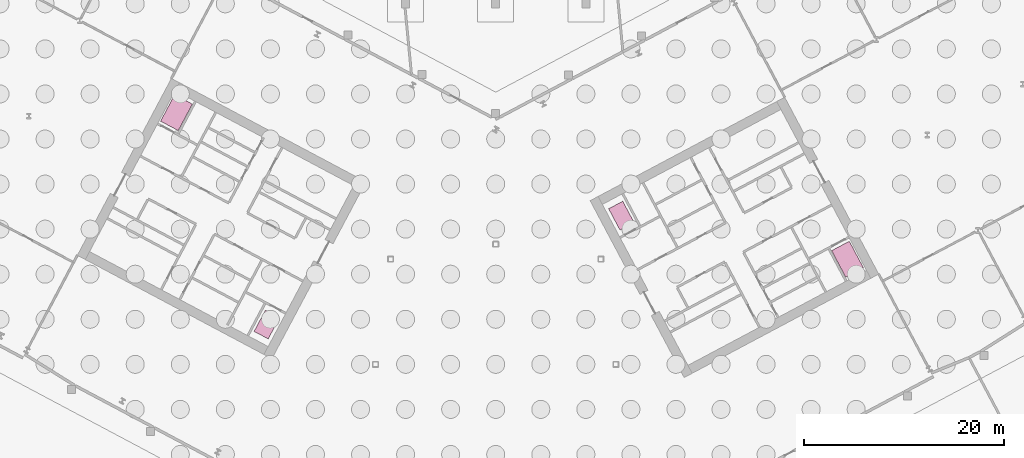
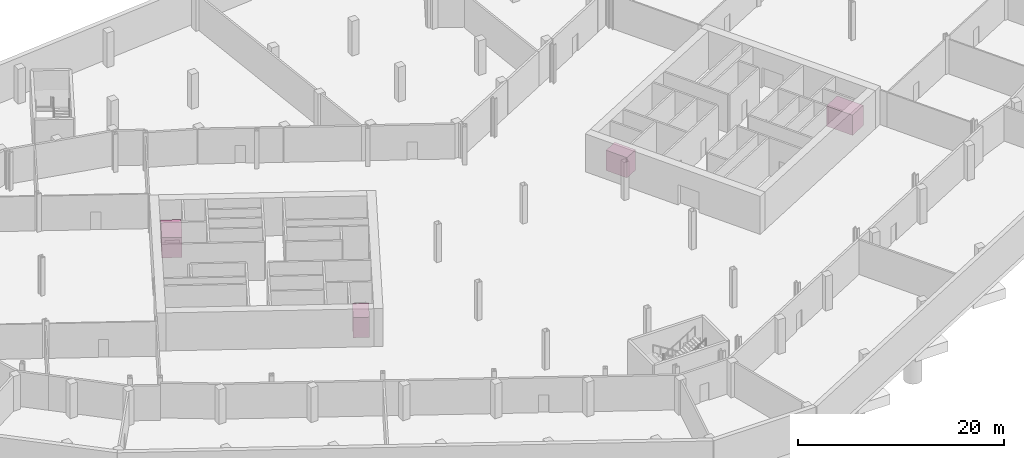
# One storey, part 29 of 29: 4 transport elements.
"""IFC4 building model written with IfcOpenShell, lengths in metres."""

import ifcopenshell
import ifcopenshell.guid

model = None  # the IFC model being written
_history = None  # IfcOwnerHistory: only IFC2X3 demands one
_inside = {}  # id of a spatial element -> (the spatial element, [elements in it])
_under = {}  # id of a project, library or spatial element -> (it, [spatial elements below it])
_declared = {}  # id of a project -> (the project, [libraries it declares])
_typed = {}  # id of a type object -> (the type object, [elements of that type])
_made_of = {}  # id of a material, layer set ... -> (it, [elements and type objects made of it])


def new_model(schema):
    """Start an empty IFC model of exactly this schema.

    Asked for "IFC4X3", IfcOpenShell would pick the latest addendum, in which some entities
    have other attributes; the version numbers below select the first issue.
    IFC2X3 requires an IfcOwnerHistory on every rooted entity: one is made here for all.
    """
    global model, _history
    if schema == "IFC4X3":
        model = ifcopenshell.file(schema_version=(4, 3, 0, 0))
    else:
        model = ifcopenshell.file(schema=schema)
    _inside.clear()
    _under.clear()
    _declared.clear()
    _typed.clear()
    _made_of.clear()
    _history = None
    if model.schema == "IFC2X3":
        org = make("IfcOrganization", Name="unknown")
        user = make(
            "IfcPersonAndOrganization",
            ThePerson=make("IfcPerson", FamilyName="unknown"),
            TheOrganization=org,
        )
        app = make(
            "IfcApplication",
            ApplicationDeveloper=org,
            Version="unknown",
            ApplicationFullName="unknown",
            ApplicationIdentifier="unknown",
        )
        _history = make(
            "IfcOwnerHistory",
            OwningUser=user,
            OwningApplication=app,
            ChangeAction="ADDED",
            CreationDate=0,
        )
    return model


def make(cls, **values):
    """One entity of the class cls with the attributes given. An attribute that is None is left unset."""
    return model.create_entity(
        cls, **{name: value for name, value in values.items() if value is not None}
    )


def rooted(cls, **values):
    """An entity with a GlobalId (a new one), such as an element, a storey or a relation."""
    return make(cls, GlobalId=ifcopenshell.guid.new(), OwnerHistory=_history, **values)


def si_unit(unit_type, name, prefix=None):
    """IfcSIUnit, for example si_unit("LENGTHUNIT", "METRE", prefix="MILLI")."""
    return make("IfcSIUnit", UnitType=unit_type, Prefix=prefix, Name=name)


def assignment(units):
    """IfcUnitAssignment: the units of a project."""
    return None if units is None else make("IfcUnitAssignment", Units=units)


def point(xyz):
    """IfcCartesianPoint."""
    return None if xyz is None else make("IfcCartesianPoint", Coordinates=xyz)


def direction(xyz):
    """IfcDirection."""
    return None if xyz is None else make("IfcDirection", DirectionRatios=xyz)


def frame(location, z_axis=None, x_axis=None):
    """IfcAxis2Placement3D, a coordinate frame: its origin and axes. An axis left out is left unset."""
    return make(
        "IfcAxis2Placement3D",
        Location=point(location),
        Axis=direction(z_axis),
        RefDirection=direction(x_axis),
    )


def frame_2d(location, x_axis=None):
    """IfcAxis2Placement2D, a coordinate frame in the plane: its origin and x axis."""
    return make(
        "IfcAxis2Placement2D", Location=point(location), RefDirection=direction(x_axis)
    )


def origin():
    """The frame at (0, 0, 0) with its axes left unset."""
    return frame((0.0, 0.0, 0.0))


def origin_2d():
    """The frame at (0, 0) in the plane with its x axis left unset."""
    return frame_2d((0.0, 0.0))


def place(relative_to, where):
    """IfcLocalPlacement: puts the frame where relative to a parent placement (None: the world)."""
    return make(
        "IfcLocalPlacement", PlacementRelTo=relative_to, RelativePlacement=where
    )


def context(
    kind, dimensions, precision=None, world=None, true_north=None, identifier=None
):
    """IfcGeometricRepresentationContext, for example the 3D "Model" context."""
    return make(
        "IfcGeometricRepresentationContext",
        ContextIdentifier=identifier,
        ContextType=kind,
        CoordinateSpaceDimension=dimensions,
        Precision=precision,
        WorldCoordinateSystem=world,
        TrueNorth=true_north,
    )


def subcontext(parent, identifier, kind, view, scale=None):
    """IfcGeometricRepresentationSubContext, for example "Body" below "Model"."""
    return make(
        "IfcGeometricRepresentationSubContext",
        ContextIdentifier=identifier,
        ContextType=kind,
        ParentContext=parent,
        TargetScale=scale,
        TargetView=view,
    )


def project(units=None, contexts=None):
    """IfcProject with its units and contexts."""
    return rooted(
        "IfcProject",
        Name="project",
        RepresentationContexts=contexts,
        UnitsInContext=assignment(units),
    )


def spatial(cls, under=None, at=None, **own):
    """A site, building, storey or space (cls), placed at a placement, below another one or the project."""
    s = rooted(cls, ObjectPlacement=at, **own)
    if under is not None:
        _under.setdefault(under.id(), (under, []))[1].append(s)
    return s


def profile(cls, at=None, kind="AREA", **sizes):
    """A parametric profile (cls). Its sizes go by their IFC names, for example OverallWidth=200.0."""
    return make(cls, ProfileType=kind, Position=at, **sizes)


def rectangle(**sizes):
    """IfcRectangleProfileDef."""
    return profile("IfcRectangleProfileDef", **sizes)


def extrude(swept, where, along, depth):
    """IfcExtrudedAreaSolid: the profile swept, set in the frame where, extruded along a direction by depth."""
    return make(
        "IfcExtrudedAreaSolid",
        SweptArea=swept,
        Position=where,
        ExtrudedDirection=direction(along),
        Depth=depth,
    )


def shape(context_of_items, identifier, shape_type, items):
    """IfcShapeRepresentation: the items that make up one representation, for example the "Body"."""
    return make(
        "IfcShapeRepresentation",
        ContextOfItems=context_of_items,
        RepresentationIdentifier=identifier,
        RepresentationType=shape_type,
        Items=items,
    )


def material(Name=None, Category=None):
    """IfcMaterial."""
    return make("IfcMaterial", Name=Name, Category=Category)


def made_of(thing, what):
    """Note that an element or type object is made of a material, layer set ...; save() writes the relation."""
    if what is not None:
        _made_of.setdefault(what.id(), (what, []))[1].append(thing)
    return thing


def type_object(cls, material=None, **own):
    """A type object (cls), such as IfcWallType, which elements share."""
    return made_of(rooted(cls, **own), material)


def element(
    cls,
    number,
    at=None,
    inside=None,
    cuts=None,
    type_object=None,
    material=None,
    context=None,
    identifier="Body",
    shape_type=None,
    held_by="IfcProductDefinitionShape",
    body=None,
    shapes=None,
    **own,
):
    """One element of the class cls, such as IfcWall. Its Tag is "e" and its number.

    at: its placement. inside: the storey or other place that contains it. cuts: it is an
    opening in that element (IfcRelVoidsElement). A single representation is given by context,
    identifier, shape_type and body (its items); several are given by shapes. held_by: the class
    of the entity that holds the representations. save() writes the other relations.
    """
    e = rooted(cls, Tag="e%d" % number, ObjectPlacement=at, **own)
    if body is not None:
        shapes = [shape(context, identifier, shape_type, body)]
    if shapes is not None:
        e.Representation = make(held_by, Representations=shapes)
    if inside is not None:
        _inside.setdefault(inside.id(), (inside, []))[1].append(e)
    if cuts is not None:
        rooted(
            "IfcRelVoidsElement", RelatingBuildingElement=cuts, RelatedOpeningElement=e
        )
    if type_object is not None:
        _typed.setdefault(type_object.id(), (type_object, []))[1].append(e)
    return made_of(e, material)


def aggregate(whole, parts):
    """IfcRelAggregates: a whole, such as a stair, and the parts it consists of."""
    return rooted("IfcRelAggregates", RelatingObject=whole, RelatedObjects=parts)


def save(model, path):
    """Write the relations noted so far, then the file.

    IfcRelAggregates (storeys below a building ...), IfcRelContainedInSpatialStructure (elements
    in a storey), IfcRelDefinesByType, IfcRelAssociatesMaterial and IfcRelDeclares: one each for
    every whole, place, type object, material and project.
    """
    for whole, parts in _under.values():
        aggregate(whole, parts)
    for where, things in _inside.values():
        rooted(
            "IfcRelContainedInSpatialStructure",
            RelatedElements=things,
            RelatingStructure=where,
        )
    for kind, things in _typed.values():
        rooted("IfcRelDefinesByType", RelatedObjects=things, RelatingType=kind)
    for what, things in _made_of.values():
        rooted("IfcRelAssociatesMaterial", RelatedObjects=things, RelatingMaterial=what)
    for by, libraries in _declared.values():
        rooted("IfcRelDeclares", RelatingContext=by, RelatedDefinitions=libraries)
    model.write(path)


model = new_model("IFC4")

# Units and contexts
model_context = context("Model", 3, precision=1e-05, world=origin(), true_north=direction((0.0, 1.0)))
body_context = subcontext(model_context, "Body", "Model", "MODEL_VIEW")
ifc_project = project(units=[si_unit("LENGTHUNIT", "METRE"), si_unit("AREAUNIT", "SQUARE_METRE"), si_unit("VOLUMEUNIT", "CUBIC_METRE"), si_unit("PLANEANGLEUNIT", "RADIAN"), si_unit("MASSUNIT", "GRAM", prefix="KILO")], contexts=[model_context])

# Site, building, storey
site_placement = place(None, origin())
site = spatial("IfcSite", under=ifc_project, at=site_placement, CompositionType="ELEMENT")
building_placement = place(site_placement, origin())
building = spatial("IfcBuilding", under=site, at=building_placement, Name="Cormorant Relay Tower", CompositionType="ELEMENT")
storey_placement = place(building_placement, frame((0.0, 0.0, -9.0)))
storey = spatial("IfcBuildingStorey", under=building, at=storey_placement, Name="B2", CompositionType="ELEMENT", Elevation=-9.0)

# Transport elements
ifc_material_1 = material(Name="Stainless steel 316", Category="steel")
transport_element_type_1 = type_object("IfcTransportElementType", Name="Firefighters lift car 1600x2400 2000 kg", PredefinedType="ELEVATOR", material=ifc_material_1)
for number, where, z_axis, x_axis, name in (
    (1, (-22.86083984375, 3.97265625, 0.0), (0.0, 0.0, 1.0), (-0.882947592859, 0.469471562786, 0.0), "FF1"),
    (2, (12.54541015625, 14.853271484375, 0.0), (0.0, 0.0, 1.0), (0.882947592859, 0.469471562786, 0.0), "FF2"),
):
    element("IfcTransportElement", number, at=place(storey_placement, frame(where, z_axis=z_axis, x_axis=x_axis)), inside=storey, type_object=transport_element_type_1, Name=name, PredefinedType="ELEVATOR", context=body_context, shape_type="SweptSolid", body=[
        extrude(rectangle(XDim=1.60009765625, YDim=2.39990234375, at=origin_2d()), origin(), (0.0, 0.0, 1.0), 2.39990234375),
    ])
ifc_material_2 = material(Name="Stainless steel 316", Category="steel")
transport_element_type_2 = type_object("IfcTransportElementType", Name="Service lift car 2000x3000 3500 kg", PredefinedType="ELEVATOR", material=ifc_material_2)
for number, where, z_axis, x_axis, name in (
    (3, (-31.8818359375, 25.134765625, 0.0), (0.0, 0.0, 1.0), (-0.882947592859, 0.469471562786, 0.0), "SV1"),
    (4, (35.1337890625, 10.498291015625, 0.0), (0.0, 0.0, 1.0), (0.882947592859, 0.469471562786, 0.0), "SV2"),
):
    element("IfcTransportElement", number, at=place(storey_placement, frame(where, z_axis=z_axis, x_axis=x_axis)), inside=storey, type_object=transport_element_type_2, Name=name, PredefinedType="ELEVATOR", context=body_context, shape_type="SweptSolid", body=[
        extrude(rectangle(XDim=2.0, YDim=3.0, at=origin_2d()), origin(), (0.0, 0.0, 1.0), 2.39990234375),
    ])

save(model, "model.ifc")
